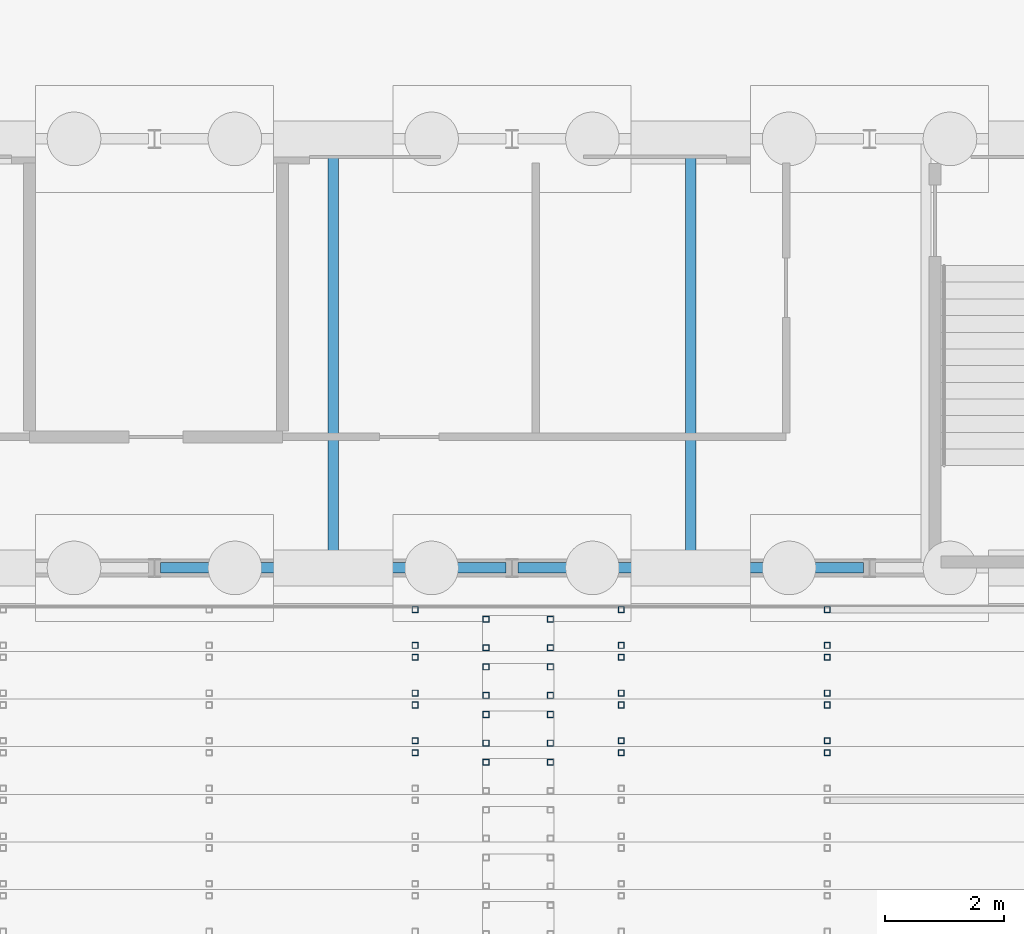
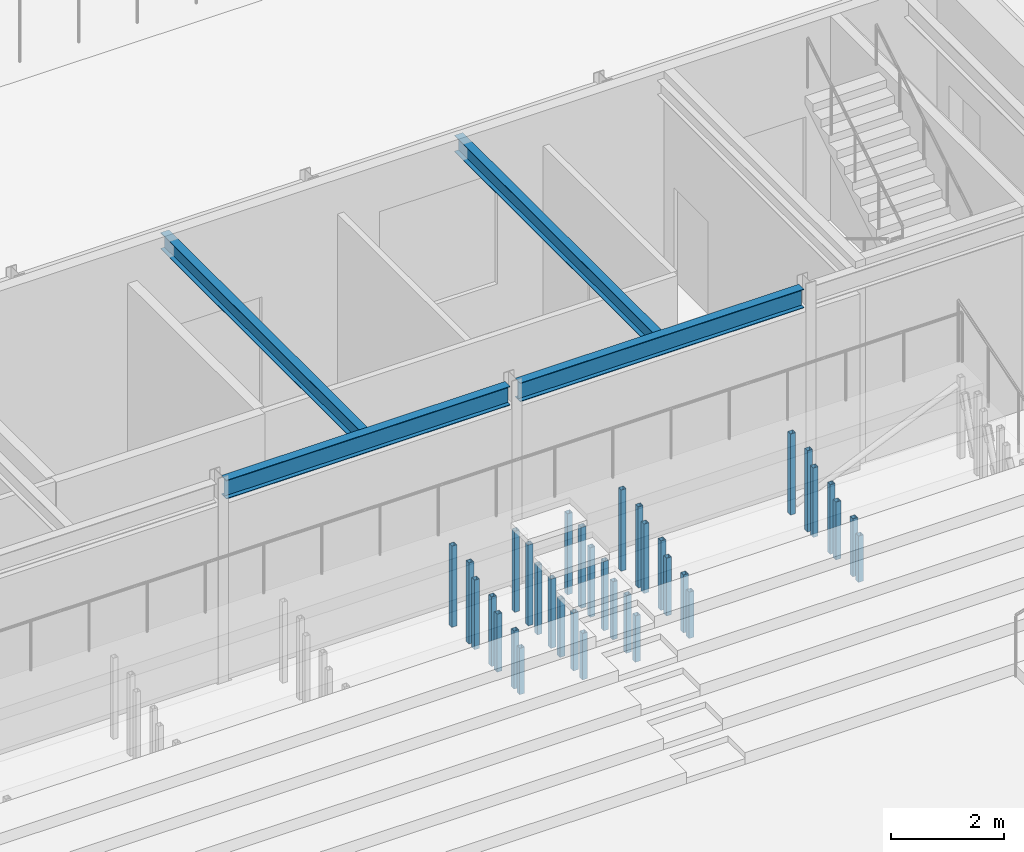
# One storey, part 59 of 139: 35 members, 4 beams.
"""IFC4 building model written with IfcOpenShell, lengths in metres."""

from ifc_helpers import new_model, si_unit, direction, frame, origin, origin_2d, place, context, subcontext, project, spatial, hollow_rectangle, i_section, extrude, material, material_profile, profile_set, type_object, element, save


model = new_model("IFC4")

# Units and contexts
model_context = context("Model", 3, precision=1e-05, world=origin(), true_north=direction((0.0, 1.0)))
body_context = subcontext(model_context, "Body", "Model", "MODEL_VIEW")
ifc_project = project(units=[si_unit("LENGTHUNIT", "METRE"), si_unit("AREAUNIT", "SQUARE_METRE"), si_unit("VOLUMEUNIT", "CUBIC_METRE"), si_unit("PLANEANGLEUNIT", "RADIAN"), si_unit("MASSUNIT", "GRAM", prefix="KILO")], contexts=[model_context])

# Site, building, storey
site_placement = place(None, origin())
site = spatial("IfcSite", under=ifc_project, at=site_placement, CompositionType="ELEMENT")
building_placement = place(site_placement, origin())
building = spatial("IfcBuilding", under=site, at=building_placement, Name="Verrick Yard Athletic Hall", CompositionType="ELEMENT")
storey_placement = place(building_placement, origin())
storey = spatial("IfcBuildingStorey", under=building, at=storey_placement, Name="L00", CompositionType="ELEMENT", Elevation=0.0)

# Beams
ifc_material_1 = material(Name="Structural steel 350W (CSA G40.21)", Category="steel")
ifc_material_profile_1 = material_profile(ifc_material_1, i_section(OverallWidth=0.177978515625, OverallDepth=0.406982421875, WebThickness=0.0078125, FlangeThickness=0.0126953125, at=origin_2d()), Name="W410x60")
ifc_profile_set_1 = profile_set([ifc_material_profile_1], Name="Structural steel 350W (CSA G40.21)")
beam_type_1 = type_object("IfcBeamType", Name="HB girder W410x60", PredefinedType="BEAM", material=ifc_profile_set_1)
for number, where, z_axis, x_axis, name in (
    (1, (151.702392578125, 100.800048828125, 4.04638671875), (1.0, 0.0, 0.0), (0.0, 1.0, 0.0), "HB-GB-A-L01-S6"),
    (2, (157.702392578125, 100.800048828125, 4.04638671875), (1.0, 0.0, 0.0), (0.0, 1.0, 0.0), "HB-GB-A-L01-S7"),
):
    element("IfcBeam", number, at=place(storey_placement, frame(where, z_axis=z_axis, x_axis=x_axis)), inside=storey, type_object=beam_type_1, Name=name, PredefinedType="BEAM", context=body_context, shape_type="SweptSolid", body=[
        extrude(i_section(OverallWidth=0.177978515625, OverallDepth=0.406982421875, WebThickness=0.0078125, FlangeThickness=0.0126953125, at=origin_2d()), origin(), (0.0, 0.0, 1.0), 5.795166015625),
    ])

# Members
ifc_material_2 = material(Name="Structural steel HSS Class C 350W (CSA G40.20/G40.21)", Category="steel")
ifc_material_profile_2 = material_profile(ifc_material_2, hollow_rectangle(XDim=0.1015625, YDim=0.1015625, WallThickness=0.00634765625, at=origin_2d()), Name="HSS102x102x6.4")
ifc_profile_set_2 = profile_set([ifc_material_profile_2], Name="Structural steel HSS Class C 350W (CSA G40.20/G40.21)")
member_type = type_object("IfcMemberType", Name="HB seating post HSS102x102x6.4", PredefinedType="POST", material=ifc_profile_set_2)
for number, where, z_axis, x_axis, name in (
    (3, (157.163818359375, 97.5400390625, 0.0), (0.0, 0.0, 1.0), (0.0, 1.0, 0.0), "HB-SP-RSA1-A2S5c"),
    (4, (158.24365234375, 97.5400390625, 0.0), (0.0, 0.0, 1.0), (0.0, 1.0, 0.0), "HB-SP-RSA1-A2S5d"),
    (5, (155.974609375, 97.699951171875, 0.0), (0.0, 0.0, 1.0), (0.0, 1.0, 0.0), "HB-SP-RSA1-T5b10"),
    (6, (159.432861328125, 97.699951171875, 0.0), (0.0, 0.0, 1.0), (0.0, 1.0, 0.0), "HB-SP-RSA1-T5b11"),
    (7, (162.89111328125, 97.699951171875, 0.0), (0.0, 0.0, 1.0), (0.0, 1.0, 0.0), "HB-SP-RSA1-T5b12"),
):
    element("IfcMember", number, at=place(storey_placement, frame(where, z_axis=z_axis, x_axis=x_axis)), inside=storey, type_object=member_type, Name=name, PredefinedType="POST", context=body_context, shape_type="SweptSolid", body=[
        extrude(hollow_rectangle(XDim=0.1015625, YDim=0.1015625, WallThickness=0.00634765625, at=origin_2d()), origin(), (0.0, 0.0, 1.0), 1.0),
    ])
for number, where, z_axis, x_axis, name in (
    (8, (157.163818359375, 97.860107421875, 0.0), (0.0, 0.0, 1.0), (0.0, 1.0, 0.0), "HB-SP-RSA1-A2S6a"),
    (9, (158.24365234375, 97.860107421875, 0.0), (0.0, 0.0, 1.0), (0.0, 1.0, 0.0), "HB-SP-RSA1-A2S6b"),
    (10, (157.163818359375, 98.340087890625, 0.0), (0.0, 0.0, 1.0), (0.0, 1.0, 0.0), "HB-SP-RSA1-A2S6c"),
    (11, (158.24365234375, 98.340087890625, 0.0), (0.0, 0.0, 1.0), (0.0, 1.0, 0.0), "HB-SP-RSA1-A2S6d"),
    (12, (155.974609375, 97.89990234375, 0.0), (0.0, 0.0, 1.0), (0.0, 1.0, 0.0), "HB-SP-RSA1-T6f10"),
    (13, (159.432861328125, 97.89990234375, 0.0), (0.0, 0.0, 1.0), (0.0, 1.0, 0.0), "HB-SP-RSA1-T6f11"),
    (14, (162.89111328125, 97.89990234375, 0.0), (0.0, 0.0, 1.0), (0.0, 1.0, 0.0), "HB-SP-RSA1-T6f12"),
    (15, (155.974609375, 98.5, 0.0), (0.0, 0.0, 1.0), (0.0, 1.0, 0.0), "HB-SP-RSA1-T6b10"),
    (16, (159.432861328125, 98.5, 0.0), (0.0, 0.0, 1.0), (0.0, 1.0, 0.0), "HB-SP-RSA1-T6b11"),
    (17, (162.89111328125, 98.5, 0.0), (0.0, 0.0, 1.0), (0.0, 1.0, 0.0), "HB-SP-RSA1-T6b12"),
):
    element("IfcMember", number, at=place(storey_placement, frame(where, z_axis=z_axis, x_axis=x_axis)), inside=storey, type_object=member_type, Name=name, PredefinedType="POST", context=body_context, shape_type="SweptSolid", body=[
        extrude(hollow_rectangle(XDim=0.1015625, YDim=0.1015625, WallThickness=0.00634765625, at=origin_2d()), origin(), (0.0, 0.0, 1.0), 1.25),
    ])
for number, where, z_axis, x_axis, name in (
    (18, (157.163818359375, 98.659912109375, 0.0), (0.0, 0.0, 1.0), (0.0, 1.0, 0.0), "HB-SP-RSA1-A2S7a"),
    (19, (158.24365234375, 98.659912109375, 0.0), (0.0, 0.0, 1.0), (0.0, 1.0, 0.0), "HB-SP-RSA1-A2S7b"),
    (20, (157.163818359375, 99.139892578125, 0.0), (0.0, 0.0, 1.0), (0.0, 1.0, 0.0), "HB-SP-RSA1-A2S7c"),
    (21, (158.24365234375, 99.139892578125, 0.0), (0.0, 0.0, 1.0), (0.0, 1.0, 0.0), "HB-SP-RSA1-A2S7d"),
    (22, (155.974609375, 98.699951171875, 0.0), (0.0, 0.0, 1.0), (0.0, 1.0, 0.0), "HB-SP-RSA1-T7f10"),
    (23, (159.432861328125, 98.699951171875, 0.0), (0.0, 0.0, 1.0), (0.0, 1.0, 0.0), "HB-SP-RSA1-T7f11"),
    (24, (162.89111328125, 98.699951171875, 0.0), (0.0, 0.0, 1.0), (0.0, 1.0, 0.0), "HB-SP-RSA1-T7f12"),
    (25, (155.974609375, 99.300048828125, 0.0), (0.0, 0.0, 1.0), (0.0, 1.0, 0.0), "HB-SP-RSA1-T7b10"),
    (26, (159.432861328125, 99.300048828125, 0.0), (0.0, 0.0, 1.0), (0.0, 1.0, 0.0), "HB-SP-RSA1-T7b11"),
    (27, (162.89111328125, 99.300048828125, 0.0), (0.0, 0.0, 1.0), (0.0, 1.0, 0.0), "HB-SP-RSA1-T7b12"),
):
    element("IfcMember", number, at=place(storey_placement, frame(where, z_axis=z_axis, x_axis=x_axis)), inside=storey, type_object=member_type, Name=name, PredefinedType="POST", context=body_context, shape_type="SweptSolid", body=[
        extrude(hollow_rectangle(XDim=0.1015625, YDim=0.1015625, WallThickness=0.00634765625, at=origin_2d()), origin(), (0.0, 0.0, 1.0), 1.5),
    ])
for number, where, z_axis, x_axis, name in (
    (28, (157.163818359375, 99.4599609375, 0.0), (0.0, 0.0, 1.0), (0.0, 1.0, 0.0), "HB-SP-RSA1-A2S8a"),
    (29, (158.24365234375, 99.4599609375, 0.0), (0.0, 0.0, 1.0), (0.0, 1.0, 0.0), "HB-SP-RSA1-A2S8b"),
    (30, (157.163818359375, 99.93994140625, 0.0), (0.0, 0.0, 1.0), (0.0, 1.0, 0.0), "HB-SP-RSA1-A2S8c"),
    (31, (158.24365234375, 99.93994140625, 0.0), (0.0, 0.0, 1.0), (0.0, 1.0, 0.0), "HB-SP-RSA1-A2S8d"),
    (32, (155.974609375, 99.5, 0.0), (0.0, 0.0, 1.0), (0.0, 1.0, 0.0), "HB-SP-RSA1-T8f10"),
    (33, (159.432861328125, 99.5, 0.0), (0.0, 0.0, 1.0), (0.0, 1.0, 0.0), "HB-SP-RSA1-T8f11"),
    (34, (162.89111328125, 99.5, 0.0), (0.0, 0.0, 1.0), (0.0, 1.0, 0.0), "HB-SP-RSA1-T8f12"),
    (35, (155.974609375, 100.10009765625, 0.0), (0.0, 0.0, 1.0), (0.0, 1.0, 0.0), "HB-SP-RSA1-T8b10"),
    (36, (159.432861328125, 100.10009765625, 0.0), (0.0, 0.0, 1.0), (0.0, 1.0, 0.0), "HB-SP-RSA1-T8b11"),
    (37, (162.89111328125, 100.10009765625, 0.0), (0.0, 0.0, 1.0), (0.0, 1.0, 0.0), "HB-SP-RSA1-T8b12"),
):
    element("IfcMember", number, at=place(storey_placement, frame(where, z_axis=z_axis, x_axis=x_axis)), inside=storey, type_object=member_type, Name=name, PredefinedType="POST", context=body_context, shape_type="SweptSolid", body=[
        extrude(hollow_rectangle(XDim=0.1015625, YDim=0.1015625, WallThickness=0.00634765625, at=origin_2d()), origin(), (0.0, 0.0, 1.0), 1.75),
    ])

# Beams
ifc_material_profile_3 = material_profile(ifc_material_1, i_section(OverallWidth=0.1708984375, OverallDepth=0.35498046875, WebThickness=0.007080078125, FlangeThickness=0.01171875, at=origin_2d()), Name="W360x51")
ifc_profile_set_3 = profile_set([ifc_material_profile_3], Name="Structural steel 350W (CSA G40.21)")
beam_type_2 = type_object("IfcBeamType", Name="HB secondary beam W360x51", PredefinedType="JOIST", material=ifc_profile_set_3)
for number, where, z_axis, x_axis, name in (
    (38, (154.60009765625, 100.888916015625, 4.072509765625), (0.0, 1.0, 0.0), (-1.0, 0.0, 0.0), "HB-SB-A-L01-6"),
    (39, (160.60009765625, 100.888916015625, 4.072509765625), (0.0, 1.0, 0.0), (-1.0, 0.0, 0.0), "HB-SB-A-L01-7"),
):
    element("IfcBeam", number, at=place(storey_placement, frame(where, z_axis=z_axis, x_axis=x_axis)), inside=storey, type_object=beam_type_2, Name=name, PredefinedType="JOIST", context=body_context, shape_type="SweptSolid", body=[
        extrude(i_section(OverallWidth=0.1708984375, OverallDepth=0.35498046875, WebThickness=0.007080078125, FlangeThickness=0.01171875, at=origin_2d()), origin(), (0.0, 0.0, 1.0), 7.02197265625),
    ])

save(model, "model.ifc")
